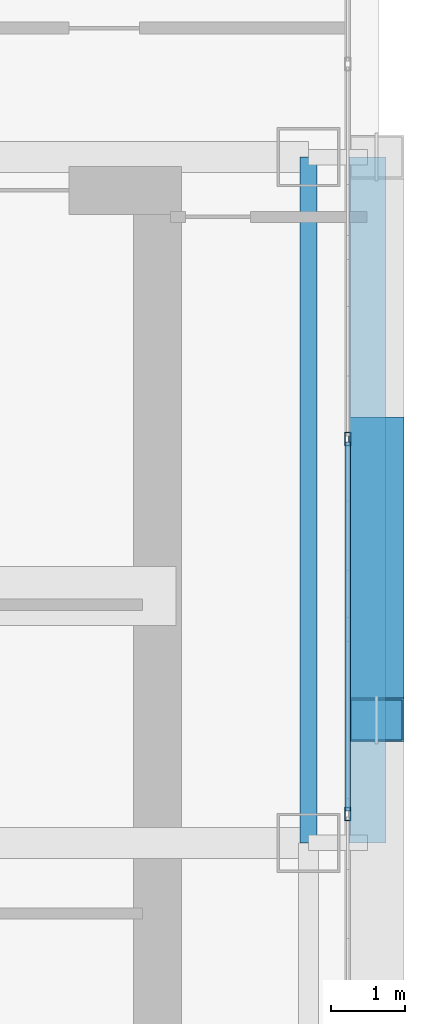
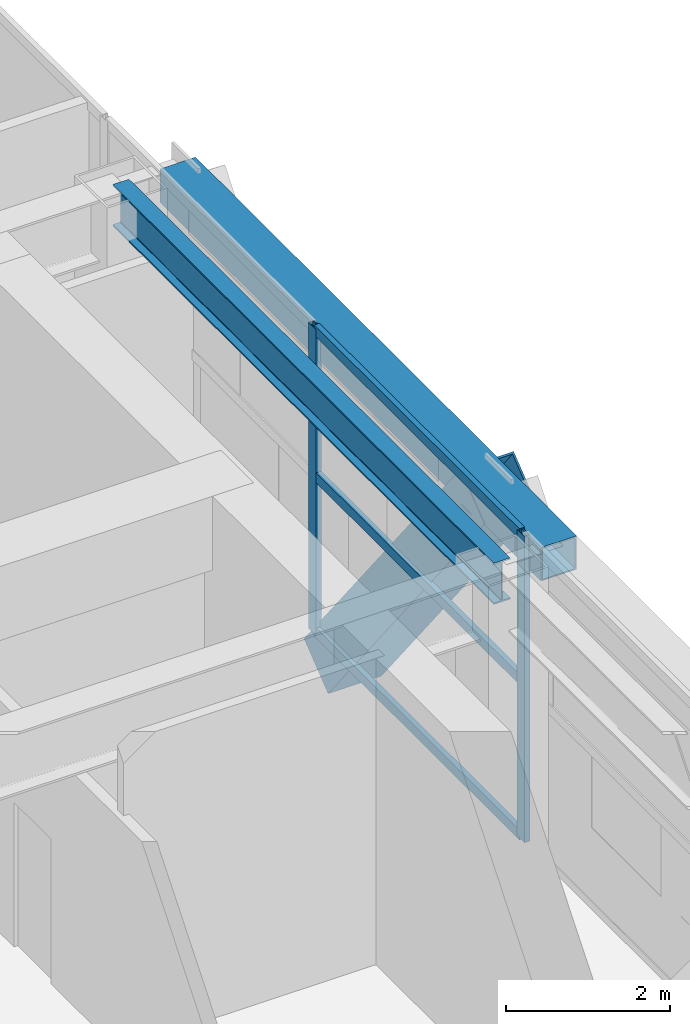
# One storey, part 16 of 38: 6 members, 2 beams, 1 element without a shape of its own.
"""IFC4 building model written with IfcOpenShell, lengths in metres."""

import ifcopenshell
import ifcopenshell.guid

model = None  # the IFC model being written
_history = None  # IfcOwnerHistory: only IFC2X3 demands one
_inside = {}  # id of a spatial element -> (the spatial element, [elements in it])
_under = {}  # id of a project, library or spatial element -> (it, [spatial elements below it])
_declared = {}  # id of a project -> (the project, [libraries it declares])
_typed = {}  # id of a type object -> (the type object, [elements of that type])
_made_of = {}  # id of a material, layer set ... -> (it, [elements and type objects made of it])


def new_model(schema):
    """Start an empty IFC model of exactly this schema.

    Asked for "IFC4X3", IfcOpenShell would pick the latest addendum, in which some entities
    have other attributes; the version numbers below select the first issue.
    IFC2X3 requires an IfcOwnerHistory on every rooted entity: one is made here for all.
    """
    global model, _history
    if schema == "IFC4X3":
        model = ifcopenshell.file(schema_version=(4, 3, 0, 0))
    else:
        model = ifcopenshell.file(schema=schema)
    _inside.clear()
    _under.clear()
    _declared.clear()
    _typed.clear()
    _made_of.clear()
    _history = None
    if model.schema == "IFC2X3":
        org = make("IfcOrganization", Name="unknown")
        user = make(
            "IfcPersonAndOrganization",
            ThePerson=make("IfcPerson", FamilyName="unknown"),
            TheOrganization=org,
        )
        app = make(
            "IfcApplication",
            ApplicationDeveloper=org,
            Version="unknown",
            ApplicationFullName="unknown",
            ApplicationIdentifier="unknown",
        )
        _history = make(
            "IfcOwnerHistory",
            OwningUser=user,
            OwningApplication=app,
            ChangeAction="ADDED",
            CreationDate=0,
        )
    return model


def make(cls, **values):
    """One entity of the class cls with the attributes given. An attribute that is None is left unset."""
    return model.create_entity(
        cls, **{name: value for name, value in values.items() if value is not None}
    )


def rooted(cls, **values):
    """An entity with a GlobalId (a new one), such as an element, a storey or a relation."""
    return make(cls, GlobalId=ifcopenshell.guid.new(), OwnerHistory=_history, **values)


def si_unit(unit_type, name, prefix=None):
    """IfcSIUnit, for example si_unit("LENGTHUNIT", "METRE", prefix="MILLI")."""
    return make("IfcSIUnit", UnitType=unit_type, Prefix=prefix, Name=name)


def assignment(units):
    """IfcUnitAssignment: the units of a project."""
    return None if units is None else make("IfcUnitAssignment", Units=units)


def point(xyz):
    """IfcCartesianPoint."""
    return None if xyz is None else make("IfcCartesianPoint", Coordinates=xyz)


def direction(xyz):
    """IfcDirection."""
    return None if xyz is None else make("IfcDirection", DirectionRatios=xyz)


def frame(location, z_axis=None, x_axis=None):
    """IfcAxis2Placement3D, a coordinate frame: its origin and axes. An axis left out is left unset."""
    return make(
        "IfcAxis2Placement3D",
        Location=point(location),
        Axis=direction(z_axis),
        RefDirection=direction(x_axis),
    )


def frame_2d(location, x_axis=None):
    """IfcAxis2Placement2D, a coordinate frame in the plane: its origin and x axis."""
    return make(
        "IfcAxis2Placement2D", Location=point(location), RefDirection=direction(x_axis)
    )


def origin():
    """The frame at (0, 0, 0) with its axes left unset."""
    return frame((0.0, 0.0, 0.0))


def origin_2d():
    """The frame at (0, 0) in the plane with its x axis left unset."""
    return frame_2d((0.0, 0.0))


def place(relative_to, where):
    """IfcLocalPlacement: puts the frame where relative to a parent placement (None: the world)."""
    return make(
        "IfcLocalPlacement", PlacementRelTo=relative_to, RelativePlacement=where
    )


def context(
    kind, dimensions, precision=None, world=None, true_north=None, identifier=None
):
    """IfcGeometricRepresentationContext, for example the 3D "Model" context."""
    return make(
        "IfcGeometricRepresentationContext",
        ContextIdentifier=identifier,
        ContextType=kind,
        CoordinateSpaceDimension=dimensions,
        Precision=precision,
        WorldCoordinateSystem=world,
        TrueNorth=true_north,
    )


def subcontext(parent, identifier, kind, view, scale=None):
    """IfcGeometricRepresentationSubContext, for example "Body" below "Model"."""
    return make(
        "IfcGeometricRepresentationSubContext",
        ContextIdentifier=identifier,
        ContextType=kind,
        ParentContext=parent,
        TargetScale=scale,
        TargetView=view,
    )


def project(units=None, contexts=None):
    """IfcProject with its units and contexts."""
    return rooted(
        "IfcProject",
        Name="project",
        RepresentationContexts=contexts,
        UnitsInContext=assignment(units),
    )


def spatial(cls, under=None, at=None, **own):
    """A site, building, storey or space (cls), placed at a placement, below another one or the project."""
    s = rooted(cls, ObjectPlacement=at, **own)
    if under is not None:
        _under.setdefault(under.id(), (under, []))[1].append(s)
    return s


def profile(cls, at=None, kind="AREA", **sizes):
    """A parametric profile (cls). Its sizes go by their IFC names, for example OverallWidth=200.0."""
    return make(cls, ProfileType=kind, Position=at, **sizes)


def hollow_rectangle(**sizes):
    """IfcRectangleHollowProfileDef."""
    return profile("IfcRectangleHollowProfileDef", **sizes)


def i_section(**sizes):
    """IfcIShapeProfileDef."""
    return profile("IfcIShapeProfileDef", **sizes)


def extrude(swept, where, along, depth):
    """IfcExtrudedAreaSolid: the profile swept, set in the frame where, extruded along a direction by depth."""
    return make(
        "IfcExtrudedAreaSolid",
        SweptArea=swept,
        Position=where,
        ExtrudedDirection=direction(along),
        Depth=depth,
    )


def shape(context_of_items, identifier, shape_type, items):
    """IfcShapeRepresentation: the items that make up one representation, for example the "Body"."""
    return make(
        "IfcShapeRepresentation",
        ContextOfItems=context_of_items,
        RepresentationIdentifier=identifier,
        RepresentationType=shape_type,
        Items=items,
    )


def source(mapping_origin, context_of_items, identifier, shape_type, items):
    """IfcRepresentationMap: a shape defined once, which mapped items show again and again."""
    return make(
        "IfcRepresentationMap",
        MappingOrigin=mapping_origin,
        MappedRepresentation=shape(context_of_items, identifier, shape_type, items),
    )


def transform(
    local_origin,
    x_axis=None,
    y_axis=None,
    z_axis=None,
    scale=None,
    scale2=None,
    scale3=None,
    uniform=True,
):
    """IfcCartesianTransformationOperator3D, or its non-uniform kind. x_axis, y_axis, z_axis: its Axis1, 2, 3."""
    if uniform:
        return make(
            "IfcCartesianTransformationOperator3D",
            Axis1=direction(x_axis),
            Axis2=direction(y_axis),
            LocalOrigin=point(local_origin),
            Scale=scale,
            Axis3=direction(z_axis),
        )
    return make(
        "IfcCartesianTransformationOperator3DnonUniform",
        Axis1=direction(x_axis),
        Axis2=direction(y_axis),
        LocalOrigin=point(local_origin),
        Scale=scale,
        Axis3=direction(z_axis),
        Scale2=scale2,
        Scale3=scale3,
    )


def mapped(mapping_source, mapping_target):
    """IfcMappedItem: shows the shape of a source again, moved by a transform."""
    return make(
        "IfcMappedItem", MappingSource=mapping_source, MappingTarget=mapping_target
    )


def material(Name=None, Category=None):
    """IfcMaterial."""
    return make("IfcMaterial", Name=Name, Category=Category)


def layer(
    of_material, thickness, ventilated=None, Name=None, Category=None, Priority=None
):
    """IfcMaterialLayer: one layer of a wall or slab, of a material (None: an air gap)."""
    return make(
        "IfcMaterialLayer",
        Material=of_material,
        LayerThickness=thickness,
        IsVentilated=ventilated,
        Name=Name,
        Category=Category,
        Priority=Priority,
    )


def layer_set(layers, Name=None):
    """IfcMaterialLayerSet."""
    return make("IfcMaterialLayerSet", MaterialLayers=layers, LayerSetName=Name)


def material_profile(
    of_material, cross_section, Name=None, Category=None, Priority=None
):
    """IfcMaterialProfile: a cross section and its material."""
    return make(
        "IfcMaterialProfile",
        Name=Name,
        Material=of_material,
        Profile=cross_section,
        Priority=Priority,
        Category=Category,
    )


def profile_set(profiles, Name=None, composite=None):
    """IfcMaterialProfileSet."""
    return make(
        "IfcMaterialProfileSet",
        Name=Name,
        MaterialProfiles=profiles,
        CompositeProfile=composite,
    )


def made_of(thing, what):
    """Note that an element or type object is made of a material, layer set ...; save() writes the relation."""
    if what is not None:
        _made_of.setdefault(what.id(), (what, []))[1].append(thing)
    return thing


def type_object(cls, material=None, **own):
    """A type object (cls), such as IfcWallType, which elements share."""
    return made_of(rooted(cls, **own), material)


def element(
    cls,
    number,
    at=None,
    inside=None,
    cuts=None,
    type_object=None,
    material=None,
    context=None,
    identifier="Body",
    shape_type=None,
    held_by="IfcProductDefinitionShape",
    body=None,
    shapes=None,
    **own,
):
    """One element of the class cls, such as IfcWall. Its Tag is "e" and its number.

    at: its placement. inside: the storey or other place that contains it. cuts: it is an
    opening in that element (IfcRelVoidsElement). A single representation is given by context,
    identifier, shape_type and body (its items); several are given by shapes. held_by: the class
    of the entity that holds the representations. save() writes the other relations.
    """
    e = rooted(cls, Tag="e%d" % number, ObjectPlacement=at, **own)
    if body is not None:
        shapes = [shape(context, identifier, shape_type, body)]
    if shapes is not None:
        e.Representation = make(held_by, Representations=shapes)
    if inside is not None:
        _inside.setdefault(inside.id(), (inside, []))[1].append(e)
    if cuts is not None:
        rooted(
            "IfcRelVoidsElement", RelatingBuildingElement=cuts, RelatedOpeningElement=e
        )
    if type_object is not None:
        _typed.setdefault(type_object.id(), (type_object, []))[1].append(e)
    return made_of(e, material)


def aggregate(whole, parts):
    """IfcRelAggregates: a whole, such as a stair, and the parts it consists of."""
    return rooted("IfcRelAggregates", RelatingObject=whole, RelatedObjects=parts)


def save(model, path):
    """Write the relations noted so far, then the file.

    IfcRelAggregates (storeys below a building ...), IfcRelContainedInSpatialStructure (elements
    in a storey), IfcRelDefinesByType, IfcRelAssociatesMaterial and IfcRelDeclares: one each for
    every whole, place, type object, material and project.
    """
    for whole, parts in _under.values():
        aggregate(whole, parts)
    for where, things in _inside.values():
        rooted(
            "IfcRelContainedInSpatialStructure",
            RelatedElements=things,
            RelatingStructure=where,
        )
    for kind, things in _typed.values():
        rooted("IfcRelDefinesByType", RelatedObjects=things, RelatingType=kind)
    for what, things in _made_of.values():
        rooted("IfcRelAssociatesMaterial", RelatedObjects=things, RelatingMaterial=what)
    for by, libraries in _declared.values():
        rooted("IfcRelDeclares", RelatingContext=by, RelatedDefinitions=libraries)
    model.write(path)


model = new_model("IFC4")

# Units and contexts
model_context = context("Model", 3, precision=1e-05, world=origin(), true_north=direction((0.0, 1.0)))
body_context = subcontext(model_context, "Body", "Model", "MODEL_VIEW")
ifc_project = project(units=[si_unit("LENGTHUNIT", "METRE"), si_unit("AREAUNIT", "SQUARE_METRE"), si_unit("VOLUMEUNIT", "CUBIC_METRE"), si_unit("PLANEANGLEUNIT", "RADIAN"), si_unit("MASSUNIT", "GRAM", prefix="KILO")], contexts=[model_context])

# Site, building, storey
site_placement = place(None, origin())
site = spatial("IfcSite", under=ifc_project, at=site_placement, CompositionType="ELEMENT")
building_placement = place(site_placement, origin())
building = spatial("IfcBuilding", under=site, at=building_placement, Name="Ocotamira Hotel", CompositionType="ELEMENT")
storey_placement = place(building_placement, frame((0.0, 0.0, 92.39990234375)))
storey = spatial("IfcBuildingStorey", under=building, at=storey_placement, Name="L22", CompositionType="ELEMENT", Elevation=92.39990234375)

# Beams
ifc_material_1 = material(Name="Steel ASTM A992 Grade 50", Category="steel")
ifc_material_profile_1 = material_profile(ifc_material_1, i_section(OverallWidth=0.22998046875, OverallDepth=0.616943359375, WebThickness=0.01318359375, FlangeThickness=0.022216796875, FilletRadius=0.012939453125, at=origin_2d()), Name="W24X94")
ifc_profile_set_1 = profile_set([ifc_material_profile_1], Name="Steel ASTM A992 Grade 50")
beam_type_1 = type_object("IfcBeamType", Name="BM-PRIM-W24X94", PredefinedType="BEAM", material=ifc_profile_set_1)
shared_shape_1 = source(origin(), body_context, "Body", "SweptSolid", [
    extrude(i_section(OverallWidth=0.22998046875, OverallDepth=0.616943359375, WebThickness=0.01318359375, FlangeThickness=0.022216796875, FilletRadius=0.012939453125, at=origin_2d()), origin(), (0.0, 0.0, 1.0), 9.300048828125),
])
beam_1_placement = place(storey_placement, frame((55.050048828125, 28.14990234375, 4.251708984375), z_axis=(0.0, 1.0, 0.0), x_axis=(-1.0, 0.0, 0.0)))
element("IfcBeam", 1, at=beam_1_placement, inside=storey, type_object=beam_type_1, Name="L22 Beam X55.05 Y28.15-37.45", PredefinedType="BEAM", context=body_context, shape_type="MappedRepresentation", body=[
    mapped(shared_shape_1, transform((0.0, 0.0, 0.0), scale=1.0)),
])
ifc_material_2 = material(Name="Steel ASTM A500 Grade C", Category="steel")
ifc_material_profile_2 = material_profile(ifc_material_2, hollow_rectangle(XDim=0.5, YDim=0.5, WallThickness=0.02001953125, at=origin_2d()), Name="HSS500X500X20")
ifc_profile_set_2 = profile_set([ifc_material_profile_2], Name="Steel ASTM A500 Grade C")
beam_type_2 = type_object("IfcBeamType", Name="BM-SPAN-HSS500", PredefinedType="USERDEFINED", material=ifc_profile_set_2)
shared_shape_2 = source(origin(), body_context, "Body", "SweptSolid", [
    extrude(hollow_rectangle(XDim=0.5, YDim=0.5, WallThickness=0.02001953125, at=origin_2d()), origin(), (0.0, 0.0, 1.0), 9.300048828125),
])
beam_2_placement = place(storey_placement, frame((55.85009765625, 28.14990234375, 4.31005859375), z_axis=(0.0, 1.0, 0.0), x_axis=(-1.0, 0.0, 0.0)))
element("IfcBeam", 2, at=beam_2_placement, inside=storey, type_object=beam_type_2, Name="L22 Edge Spandrel E Y28.15-37.45", ObjectType="SPANDREL", PredefinedType="USERDEFINED", context=body_context, shape_type="MappedRepresentation", body=[
    mapped(shared_shape_2, transform((0.0, 0.0, 0.0), scale=1.0)),
])

# Member
ifc_material_3 = material(Name="Pale-metal coated steel ASTM A913 Grade 65", Category="steel")
ifc_material_profile_3 = material_profile(ifc_material_3, hollow_rectangle(XDim=0.75, YDim=0.75, WallThickness=0.028076171875, at=origin_2d()), Name="BOX750X750X28")
ifc_profile_set_3 = profile_set([ifc_material_profile_3], Name="Pale-metal coated steel ASTM A913 Grade 65")
member_type_1 = type_object("IfcMemberType", Name="MEM-EXO-BOX750", PredefinedType="BRACE", material=ifc_profile_set_3)
shared_shape_3 = source(origin(), body_context, "Body", "SweptSolid", [
    extrude(hollow_rectangle(XDim=0.75, YDim=0.75, WallThickness=0.028076171875, at=origin_2d()), origin(), (0.0, 0.0, 1.0), 6.16357421875),
])
member_1_placement = place(storey_placement, frame((55.969970703125, 33.63330078125, -0.52978515625), z_axis=(0.0, -0.619216534821, 0.785220276741), x_axis=(1.0, 0.0, 0.0)))
element("IfcMember", 3, at=member_1_placement, inside=storey, type_object=member_type_1, Name="L22 Exoskeleton Diagrid E2.1", PredefinedType="BRACE", context=body_context, shape_type="MappedRepresentation", body=[
    mapped(shared_shape_3, transform((0.0, 0.0, 0.0), scale=1.0)),
])

# Curtain wall, members
ifc_material_4 = material(Name="Anodised pale-metal aluminium and solar glass", Category="aluminium")
ifc_layer = layer(ifc_material_4, 0.239990234375)
ifc_layer_set = layer_set([ifc_layer], Name="Anodised pale-metal aluminium and solar glass")
curtain_wall_type = type_object("IfcCurtainWallType", Name="CW-SYS5-SKY", PredefinedType="NOTDEFINED", material=ifc_layer_set)
curtain_wall_placement = place(storey_placement, origin())
curtain_wall = element("IfcCurtainWall", 4, at=curtain_wall_placement, inside=storey, type_object=curtain_wall_type, Name="L22 Curtain Wall CW-5 CW-L22-E", PredefinedType="NOTDEFINED")
ifc_material_5 = material(Name="Anodised pale-metal aluminium 6063-T6", Category="aluminium")
ifc_material_profile_4 = material_profile(ifc_material_5, hollow_rectangle(XDim=0.074951171875, YDim=0.14990234375, WallThickness=0.006103515625, at=origin_2d()), Name="HSS150X75X6")
ifc_profile_set_4 = profile_set([ifc_material_profile_4], Name="Anodised pale-metal aluminium 6063-T6")
member_type_2 = type_object("IfcMemberType", Name="CWT-150X75", PredefinedType="USERDEFINED", material=ifc_profile_set_4)
shared_shape_4 = source(origin(), body_context, "Body", "SweptSolid", [
    extrude(hollow_rectangle(XDim=0.074951171875, YDim=0.14990234375, WallThickness=0.006103515625, at=origin_2d()), origin(), (0.0, 0.0, 1.0), 5.005859375),
])
member_2_placement = place(storey_placement, frame((55.580078125, 28.582763671875, 0.03759765625), z_axis=(0.0, 1.0, 0.0), x_axis=(-1.0, 0.0, 0.0)))
member_2 = element("IfcMember", 5, at=member_2_placement, type_object=member_type_2, Name="CW-5 transom 5.1", ObjectType="TRANSOM", PredefinedType="USERDEFINED", context=body_context, shape_type="MappedRepresentation", body=[
    mapped(shared_shape_4, transform((0.0, 0.0, 0.0), scale=1.0)),
])
member_3_placement = place(storey_placement, frame((55.580078125, 28.582763671875, 2.35009765625), z_axis=(0.0, 1.0, 0.0), x_axis=(-1.0, 0.0, 0.0)))
member_3 = element("IfcMember", 6, at=member_3_placement, type_object=member_type_2, Name="CW-5 transom 5.2", ObjectType="TRANSOM", PredefinedType="USERDEFINED", context=body_context, shape_type="MappedRepresentation", body=[
    mapped(shared_shape_4, transform((0.0, 0.0, 0.0), scale=1.0)),
])
member_4_placement = place(storey_placement, frame((55.580078125, 28.582763671875, 4.522705078125), z_axis=(0.0, 1.0, 0.0), x_axis=(-1.0, 0.0, 0.0)))
member_4 = element("IfcMember", 7, at=member_4_placement, type_object=member_type_2, Name="CW-5 transom 5.3", ObjectType="TRANSOM", PredefinedType="USERDEFINED", context=body_context, shape_type="MappedRepresentation", body=[
    mapped(shared_shape_4, transform((0.0, 0.0, 0.0), scale=1.0)),
])
ifc_material_profile_5 = material_profile(ifc_material_5, hollow_rectangle(XDim=0.080078125, YDim=0.179931640625, WallThickness=0.006103515625, at=origin_2d()), Name="HSS180X80X6")
ifc_profile_set_5 = profile_set([ifc_material_profile_5], Name="Anodised pale-metal aluminium 6063-T6")
member_type_3 = type_object("IfcMemberType", Name="CWM-180X75", PredefinedType="MULLION", material=ifc_profile_set_5)
shared_shape_5 = source(origin(), body_context, "Body", "SweptSolid", [
    extrude(hollow_rectangle(XDim=0.080078125, YDim=0.179931640625, WallThickness=0.006103515625, at=origin_2d()), origin(), (0.0, 0.0, 1.0), 4.56005859375),
])
member_5_placement = place(storey_placement, frame((55.580078125, 28.54296875, 0.0), z_axis=(0.0, 0.0, 1.0), x_axis=(-1.0, 0.0, 0.0)))
member_5 = element("IfcMember", 8, at=member_5_placement, type_object=member_type_3, Name="CW-5 mullion 5", PredefinedType="MULLION", context=body_context, shape_type="MappedRepresentation", body=[
    mapped(shared_shape_5, transform((0.0, 0.0, 0.0), scale=1.0)),
])
member_6_placement = place(storey_placement, frame((55.580078125, 33.628662109375, 0.0), z_axis=(0.0, 0.0, 1.0), x_axis=(-1.0, 0.0, 0.0)))
member_6 = element("IfcMember", 9, at=member_6_placement, type_object=member_type_3, Name="CW-5 mullion 6", PredefinedType="MULLION", context=body_context, shape_type="MappedRepresentation", body=[
    mapped(shared_shape_5, transform((0.0, 0.0, 0.0), scale=1.0)),
])
aggregate(curtain_wall, [member_5, member_6, member_2, member_3, member_4])

save(model, "model.ifc")
